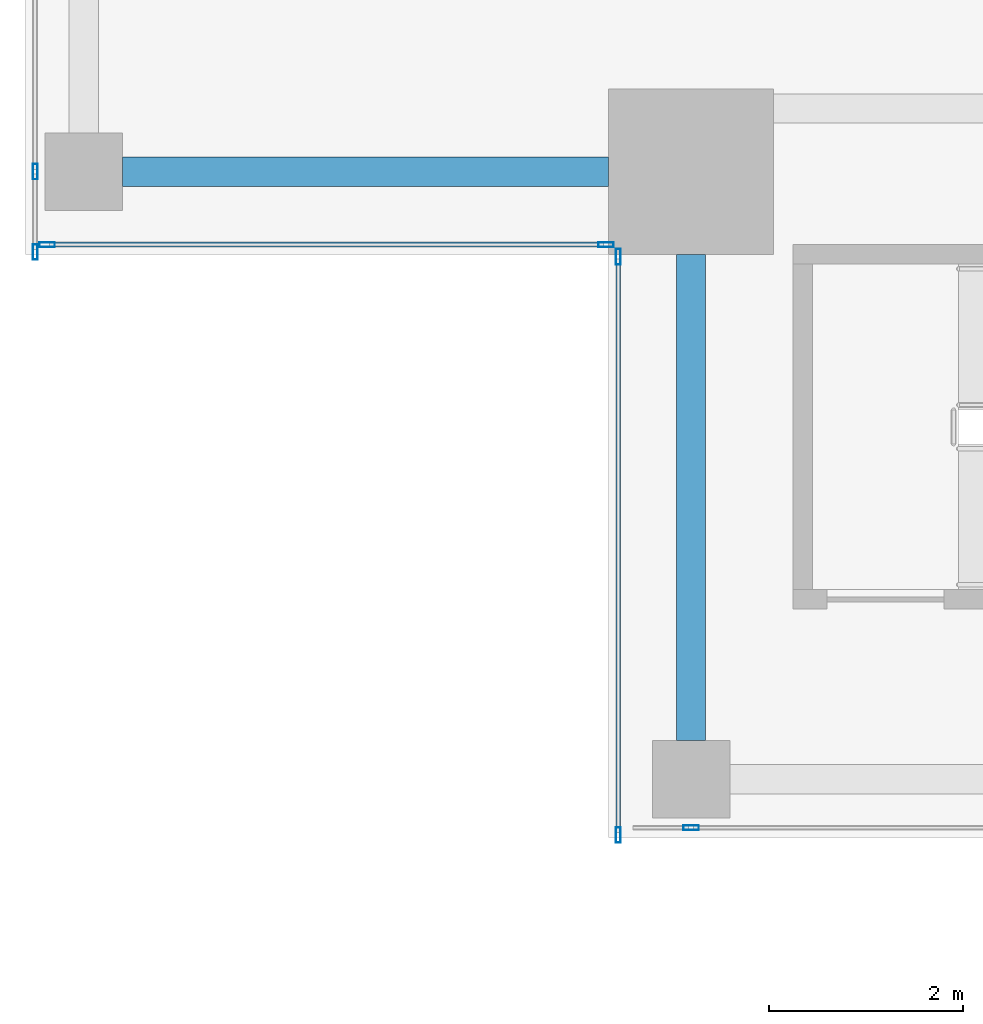
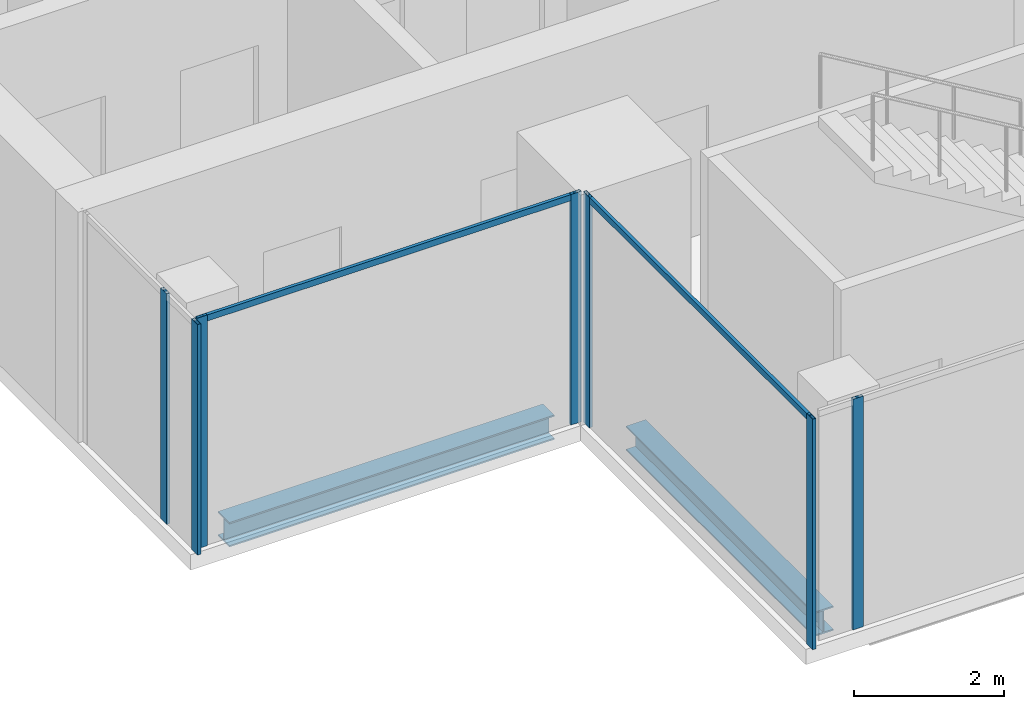
# One storey, part 2 of 28: 9 members, 2 beams, 4 elements without a shape of their own.
"""IFC4 building model written with IfcOpenShell, lengths in metres."""

from ifc_helpers import new_model, si_unit, direction, frame, origin, origin_2d, place, context, subcontext, project, spatial, hollow_rectangle, i_section, extrude, source, transform, mapped, material, material_profile, profile_set, type_object, element, aggregate, save


model = new_model("IFC4")

# Units and contexts
model_context = context("Model", 3, precision=1e-05, world=origin(), true_north=direction((0.0, 1.0)))
body_context = subcontext(model_context, "Body", "Model", "MODEL_VIEW")
ifc_project = project(units=[si_unit("LENGTHUNIT", "METRE"), si_unit("AREAUNIT", "SQUARE_METRE"), si_unit("VOLUMEUNIT", "CUBIC_METRE"), si_unit("PLANEANGLEUNIT", "RADIAN"), si_unit("MASSUNIT", "GRAM", prefix="KILO")], contexts=[model_context])

# Site, building, storey
site_placement = place(None, origin())
site = spatial("IfcSite", under=ifc_project, at=site_placement, CompositionType="ELEMENT")
building_placement = place(site_placement, origin())
building = spatial("IfcBuilding", under=site, at=building_placement, Name="Khomas Fold Tower", CompositionType="ELEMENT")
storey_placement = place(building_placement, frame((0.0, 0.0, 302.199951171875)))
storey = spatial("IfcBuildingStorey", under=building, at=storey_placement, Name="L68", CompositionType="ELEMENT", Elevation=302.199951171875)

# Beams
ifc_material_1 = material(Name="Steel S355", Category="steel")
ifc_material_profile_1 = material_profile(ifc_material_1, i_section(OverallWidth=0.300048828125, OverallDepth=0.39990234375, WebThickness=0.013427734375, FlangeThickness=0.02392578125, at=origin_2d()), Name="HE 400 B")
ifc_profile_set_1 = profile_set([ifc_material_profile_1], Name="Steel S355")
beam_type = type_object("IfcBeamType", Name="HE 400 B spandrel SB5", PredefinedType="SPANDREL", material=ifc_profile_set_1)
shared_shape_1 = source(origin(), body_context, "Body", "SweptSolid", [
    extrude(i_section(OverallWidth=0.300048828125, OverallDepth=0.39990234375, WebThickness=0.013427734375, FlangeThickness=0.02392578125, at=origin_2d()), origin(), (0.0, 0.0, 1.0), 5.0),
])
for number, where, z_axis, x_axis, name in (
    (1, (7.0, 12.85009765625, -0.449951171875), (1.0, 0.0, 0.0), (0.0, 1.0, 0.0), "SB5"),
    (2, (12.85009765625, 7.0, -0.449951171875), (0.0, 1.0, 0.0), (-1.0, 0.0, 0.0), "SB5"),
):
    element("IfcBeam", number, at=place(storey_placement, frame(where, z_axis=z_axis, x_axis=x_axis)), inside=storey, type_object=beam_type, Name=name, PredefinedType="SPANDREL", context=body_context, shape_type="MappedRepresentation", body=[
        mapped(shared_shape_1, transform((0.0, 0.0, 0.0))),
    ])

# Curtain wall, member
ifc_material_2 = material(Name="Aluminium framed double glazing", Category="aluminium")
curtain_wall_type = type_object("IfcCurtainWallType", Name="SK-Unitised clear-glass wall, upper floors CW3", PredefinedType="NOTDEFINED", material=ifc_material_2)
curtain_wall_1_placement = place(storey_placement, origin())
curtain_wall_1 = element("IfcCurtainWall", 3, at=curtain_wall_1_placement, inside=storey, type_object=curtain_wall_type, Name="CW3 run L68 00-0", PredefinedType="NOTDEFINED")
ifc_material_3 = material(Name="Aluminium", Category="aluminium")
ifc_material_profile_2 = material_profile(ifc_material_3, hollow_rectangle(XDim=0.050048828125, YDim=0.159912109375, WallThickness=0.00390625, at=origin_2d()), Name="SK-Unitised clear-glass wall, upper floors mullion CW3-M")
ifc_profile_set_2 = profile_set([ifc_material_profile_2], Name="Aluminium")
member_type_1 = type_object("IfcMemberType", Name="SK-Unitised clear-glass wall, upper floors mullion CW3-M", PredefinedType="MULLION", material=ifc_profile_set_2)
shared_shape_2 = source(origin(), body_context, "Body", "SweptSolid", [
    extrude(hollow_rectangle(XDim=0.050048828125, YDim=0.159912109375, WallThickness=0.00390625, at=origin_2d()), origin(), (0.0, 0.0, 1.0), 3.75),
])
member_1_placement = place(storey_placement, frame((12.85009765625, 6.10009765625, 0.0), z_axis=(0.0, 0.0, 1.0), x_axis=(0.0, 1.0, 0.0)))
member_1 = element("IfcMember", 4, at=member_1_placement, type_object=member_type_1, Name="CW3 mullion 2", PredefinedType="MULLION", context=body_context, shape_type="MappedRepresentation", body=[
    mapped(shared_shape_2, transform((0.0, 0.0, 0.0))),
])
aggregate(curtain_wall_1, [member_1])

# Curtain wall, members
curtain_wall_2_placement = place(storey_placement, origin())
curtain_wall_2 = element("IfcCurtainWall", 5, at=curtain_wall_2_placement, inside=storey, type_object=curtain_wall_type, Name="CW3 run L68 09-1", PredefinedType="NOTDEFINED")
member_2_placement = place(storey_placement, frame((6.10009765625, 12.85009765625, 0.0), z_axis=(0.0, 0.0, 1.0), x_axis=(1.0, 0.0, 0.0)))
member_2 = element("IfcMember", 6, at=member_2_placement, type_object=member_type_1, Name="CW3 mullion 2", PredefinedType="MULLION", context=body_context, shape_type="MappedRepresentation", body=[
    mapped(shared_shape_2, transform((0.0, 0.0, 0.0))),
])
member_3_placement = place(storey_placement, frame((6.10009765625, 12.02490234375, 0.0), z_axis=(0.0, 0.0, 1.0), x_axis=(1.0, 0.0, 0.0)))
member_3 = element("IfcMember", 7, at=member_3_placement, type_object=member_type_1, Name="CW3 mullion 3", PredefinedType="MULLION", context=body_context, shape_type="MappedRepresentation", body=[
    mapped(shared_shape_2, transform((0.0, 0.0, 0.0))),
])
aggregate(curtain_wall_2, [member_2, member_3])

curtain_wall_3_placement = place(storey_placement, origin())
curtain_wall_3 = element("IfcCurtainWall", 8, at=curtain_wall_3_placement, inside=storey, type_object=curtain_wall_type, Name="CW3 corner return L68 10", PredefinedType="NOTDEFINED")
member_4_placement = place(storey_placement, frame((6.22509765625, 12.10009765625, 0.0), z_axis=(0.0, 0.0, 1.0), x_axis=(0.0, 1.0, 0.0)))
member_4 = element("IfcMember", 9, at=member_4_placement, type_object=member_type_1, Name="CW3 mullion 1", PredefinedType="MULLION", context=body_context, shape_type="MappedRepresentation", body=[
    mapped(shared_shape_2, transform((0.0, 0.0, 0.0))),
])
member_5_placement = place(storey_placement, frame((11.97509765625, 12.10009765625, 0.0), z_axis=(0.0, 0.0, 1.0), x_axis=(0.0, 1.0, 0.0)))
member_5 = element("IfcMember", 10, at=member_5_placement, type_object=member_type_1, Name="CW3 mullion 2", PredefinedType="MULLION", context=body_context, shape_type="MappedRepresentation", body=[
    mapped(shared_shape_2, transform((0.0, 0.0, 0.0))),
])

curtain_wall_4_placement = place(storey_placement, origin())
curtain_wall_4 = element("IfcCurtainWall", 11, at=curtain_wall_4_placement, inside=storey, type_object=curtain_wall_type, Name="CW3 corner return L68 11", PredefinedType="NOTDEFINED")
member_6_placement = place(storey_placement, frame((12.10009765625, 11.97509765625, 0.0), z_axis=(0.0, 0.0, 1.0), x_axis=(1.0, 0.0, 0.0)))
member_6 = element("IfcMember", 12, at=member_6_placement, type_object=member_type_1, Name="CW3 mullion 1", PredefinedType="MULLION", context=body_context, shape_type="MappedRepresentation", body=[
    mapped(shared_shape_2, transform((0.0, 0.0, 0.0))),
])
member_7_placement = place(storey_placement, frame((12.10009765625, 6.02490234375, 0.0), z_axis=(0.0, 0.0, 1.0), x_axis=(1.0, 0.0, 0.0)))
member_7 = element("IfcMember", 13, at=member_7_placement, type_object=member_type_1, Name="CW3 mullion 2", PredefinedType="MULLION", context=body_context, shape_type="MappedRepresentation", body=[
    mapped(shared_shape_2, transform((0.0, 0.0, 0.0))),
])

# Member
ifc_material_4 = material(Name="Aluminium", Category="aluminium")
ifc_material_profile_3 = material_profile(ifc_material_4, hollow_rectangle(XDim=0.050048828125, YDim=0.10009765625, WallThickness=0.00390625, at=origin_2d()), Name="SK-Unitised clear-glass wall, upper floors transom CW3-T")
ifc_profile_set_3 = profile_set([ifc_material_profile_3], Name="Aluminium")
member_type_2 = type_object("IfcMemberType", Name="SK-Unitised clear-glass wall, upper floors transom CW3-T", PredefinedType="USERDEFINED", material=ifc_profile_set_3)
shared_shape_3 = source(origin(), body_context, "Body", "SweptSolid", [
    extrude(hollow_rectangle(XDim=0.050048828125, YDim=0.10009765625, WallThickness=0.00390625, at=origin_2d()), origin(), (0.0, 0.0, 1.0), 5.699951171875),
])
member_8_placement = place(storey_placement, frame((6.25, 12.10009765625, 3.699951171875), z_axis=(1.0, 0.0, 0.0), x_axis=(0.0, 1.0, 0.0)))
member_8 = element("IfcMember", 14, at=member_8_placement, type_object=member_type_2, Name="CW3 transom 1", ObjectType="TRANSOM", PredefinedType="USERDEFINED", context=body_context, shape_type="MappedRepresentation", body=[
    mapped(shared_shape_3, transform((0.0, 0.0, 0.0))),
])

aggregate(curtain_wall_3, [member_4, member_5, member_8])

shared_shape_4 = source(origin(), body_context, "Body", "SweptSolid", [
    extrude(hollow_rectangle(XDim=0.050048828125, YDim=0.10009765625, WallThickness=0.00390625, at=origin_2d()), origin(), (0.0, 0.0, 1.0), 5.89990234375),
])
member_9_placement = place(storey_placement, frame((12.10009765625, 11.949951171875, 3.699951171875), z_axis=(0.0, -1.0, 0.0), x_axis=(1.0, 0.0, 0.0)))
member_9 = element("IfcMember", 15, at=member_9_placement, type_object=member_type_2, Name="CW3 transom 1", ObjectType="TRANSOM", PredefinedType="USERDEFINED", context=body_context, shape_type="MappedRepresentation", body=[
    mapped(shared_shape_4, transform((0.0, 0.0, 0.0))),
])

aggregate(curtain_wall_4, [member_6, member_7, member_9])

save(model, "model.ifc")
